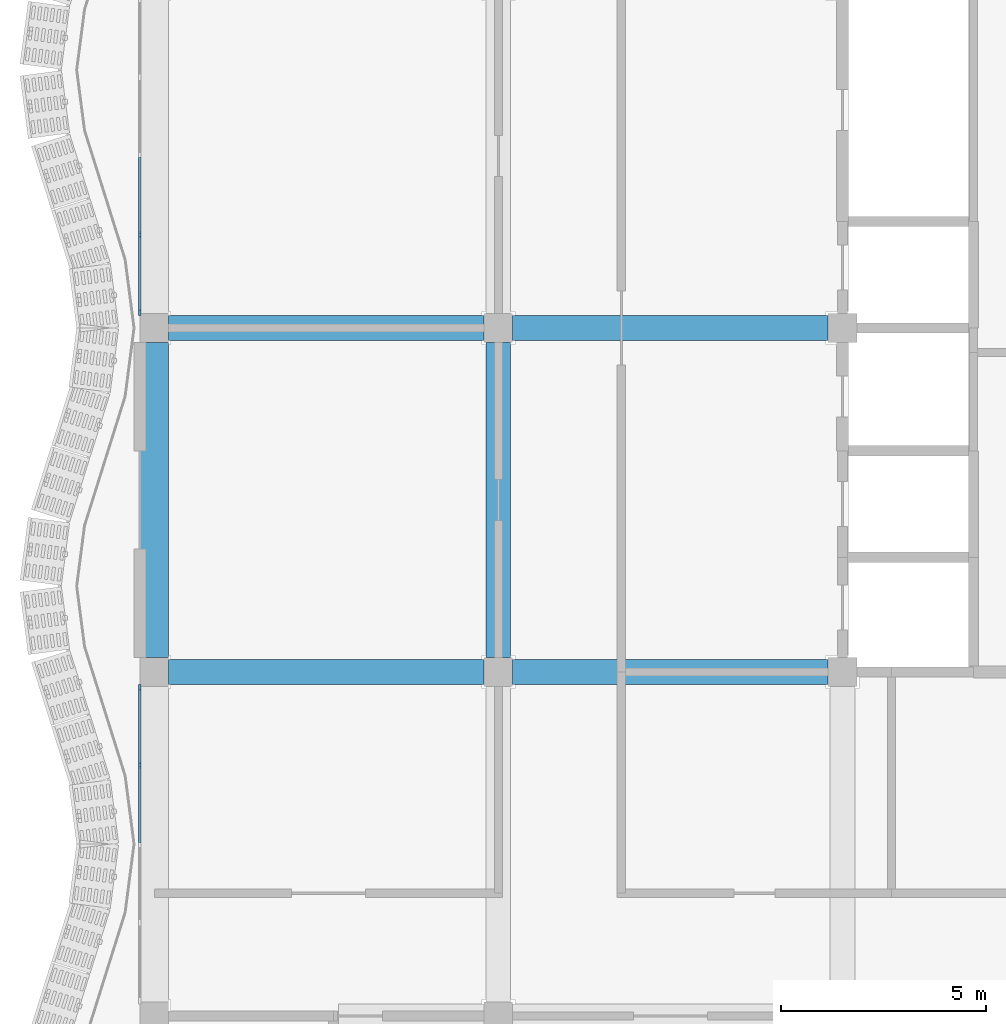
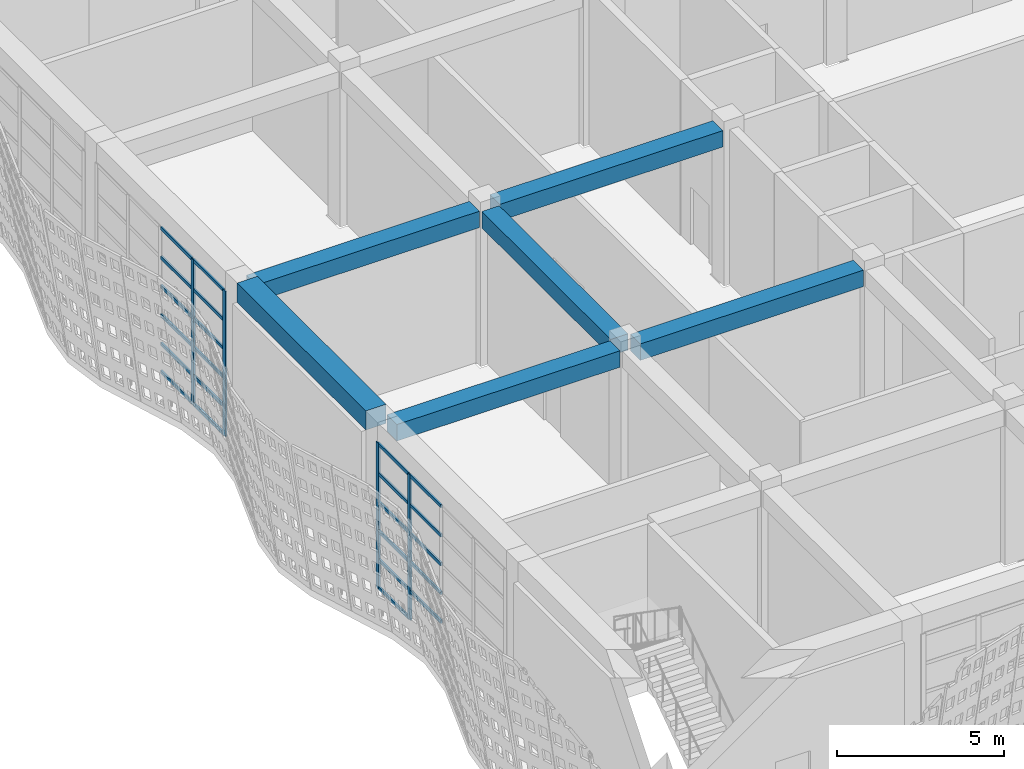
# One storey, part 22 of 210: 27 members, 6 beams, 2 elements without a shape of their own.
"""IFC4 building model written with IfcOpenShell, lengths in metres."""

from ifc_helpers import new_model, si_unit, direction, frame, origin, origin_2d, place, context, subcontext, project, spatial, rectangle, extrude, material, material_profile, profile_set, type_object, element, aggregate, save


model = new_model("IFC4")

# Units and contexts
model_context = context("Model", 3, precision=1e-05, world=origin(), true_north=direction((0.0, 1.0)))
body_context = subcontext(model_context, "Body", "Model", "MODEL_VIEW")
ifc_project = project(units=[si_unit("LENGTHUNIT", "METRE"), si_unit("AREAUNIT", "SQUARE_METRE"), si_unit("VOLUMEUNIT", "CUBIC_METRE"), si_unit("PLANEANGLEUNIT", "RADIAN"), si_unit("MASSUNIT", "GRAM", prefix="KILO")], contexts=[model_context])

# Site, building, storey
site_placement = place(None, origin())
site = spatial("IfcSite", under=ifc_project, at=site_placement, CompositionType="ELEMENT")
building_placement = place(site_placement, origin())
building = spatial("IfcBuilding", under=site, at=building_placement, Name="Rain Tree Exposition and Congress Centre", CompositionType="ELEMENT")
storey_placement = place(building_placement, origin())
storey = spatial("IfcBuildingStorey", under=building, at=storey_placement, Name="L00", CompositionType="ELEMENT", Elevation=0.0)

# Beams
ifc_material_1 = material(Name="Precast concrete C50/60", Category="concrete")
ifc_material_profile_1 = material_profile(ifc_material_1, rectangle(XDim=0.60009765625, YDim=0.60009765625, at=origin_2d()), Name="RC 600x600")
ifc_profile_set_1 = profile_set([ifc_material_profile_1], Name="Precast concrete C50/60")
beam_type_1 = type_object("IfcBeamType", Name="Precast beam 600x600", PredefinedType="BEAM", material=ifc_profile_set_1)
beam_1_placement = place(storey_placement, frame((8.39990234375, 17.14990234375, 5.35009765625), z_axis=(0.0, 1.0, 0.0), x_axis=(-1.0, 0.0, 0.0)))
element("IfcBeam", 1, at=beam_1_placement, inside=storey, type_object=beam_type_1, Name="wing/beam/L00/L01/018", PredefinedType="BEAM", context=body_context, shape_type="SweptSolid", body=[
    extrude(rectangle(XDim=0.60009765625, YDim=0.60009765625, at=origin_2d()), origin(), (0.0, 0.0, 1.0), 7.7001953125),
])
for number, where, z_axis, x_axis, name in (
    (2, (0.35009765625, 16.800048828125, 5.35009765625), (1.0, 0.0, 0.0), (0.0, 1.0, 0.0), "wing/beam/L00/L01/025"),
    (3, (8.75, 16.800048828125, 5.35009765625), (1.0, 0.0, 0.0), (0.0, 1.0, 0.0), "wing/beam/L00/L01/027"),
    (4, (0.35009765625, 25.199951171875, 5.35009765625), (1.0, 0.0, 0.0), (0.0, 1.0, 0.0), "wing/beam/L00/L01/033"),
    (5, (8.75, 25.199951171875, 5.35009765625), (1.0, 0.0, 0.0), (0.0, 1.0, 0.0), "wing/beam/L00/L01/035"),
):
    element("IfcBeam", number, at=place(storey_placement, frame(where, z_axis=z_axis, x_axis=x_axis)), inside=storey, type_object=beam_type_1, Name=name, PredefinedType="BEAM", context=body_context, shape_type="SweptSolid", body=[
        extrude(rectangle(XDim=0.60009765625, YDim=0.60009765625, at=origin_2d()), origin(), (0.0, 0.0, 1.0), 7.699951171875),
    ])
ifc_material_2 = material(Name="Precast concrete C50/60", Category="concrete")
ifc_material_profile_2 = material_profile(ifc_material_2, rectangle(XDim=0.699951171875, YDim=0.699951171875, at=origin_2d()), Name="RC 700x700")
ifc_profile_set_2 = profile_set([ifc_material_profile_2], Name="Precast concrete C50/60")
beam_type_2 = type_object("IfcBeamType", Name="Precast spandrel beam 700x700", PredefinedType="SPANDREL", material=ifc_profile_set_2)
beam_2_placement = place(storey_placement, frame((0.0, 17.14990234375, 5.64990234375), z_axis=(0.0, 1.0, 0.0), x_axis=(-1.0, 0.0, 0.0)))
element("IfcBeam", 6, at=beam_2_placement, inside=storey, type_object=beam_type_2, Name="wing/beam/L00/L01/006", PredefinedType="SPANDREL", context=body_context, shape_type="SweptSolid", body=[
    extrude(rectangle(XDim=0.699951171875, YDim=0.699951171875, at=origin_2d()), origin(), (0.0, 0.0, 1.0), 7.7001953125),
])

# Curtain wall, members
ifc_material_3 = material(Name="Aluminium curtain wall", Category="aluminium")
curtain_wall_type = type_object("IfcCurtainWallType", Name="Wing curtain wall 1925", PredefinedType="NOTDEFINED", material=ifc_material_3)
curtain_wall_1_placement = place(storey_placement, origin())
curtain_wall_1 = element("IfcCurtainWall", 7, at=curtain_wall_1_placement, inside=storey, type_object=curtain_wall_type, Name="Curtain wall CWW106", PredefinedType="NOTDEFINED")
ifc_material_4 = material(Name="Aluminium", Category="aluminium")
ifc_material_profile_3 = material_profile(ifc_material_4, rectangle(XDim=0.06005859375, YDim=0.159912109375, at=origin_2d()), Name="Aluminium 60x160")
ifc_profile_set_3 = profile_set([ifc_material_profile_3], Name="Aluminium")
member_type_1 = type_object("IfcMemberType", Name="Wing mullion 60x160", PredefinedType="MULLION", material=ifc_profile_set_3)
member_1_placement = place(storey_placement, frame((-0.35009765625, 14.52490234375, 0.0), z_axis=(0.0, 0.0, 1.0), x_axis=(-1.0, 0.0, 0.0)))
member_1 = element("IfcMember", 8, at=member_1_placement, type_object=member_type_1, Name="CWW106 mullion 4", PredefinedType="MULLION", context=body_context, shape_type="SweptSolid", body=[
    extrude(rectangle(XDim=0.06005859375, YDim=0.159912109375, at=origin_2d()), origin(), (0.0, 0.0, 1.0), 5.300048828125),
])
member_2_placement = place(storey_placement, frame((-0.35009765625, 16.419921875, 0.0), z_axis=(0.0, 0.0, 1.0), x_axis=(-1.0, 0.0, 0.0)))
member_2 = element("IfcMember", 9, at=member_2_placement, type_object=member_type_1, Name="CWW106 mullion 5", PredefinedType="MULLION", context=body_context, shape_type="SweptSolid", body=[
    extrude(rectangle(XDim=0.06005859375, YDim=0.159912109375, at=origin_2d()), origin(), (0.0, 0.0, 1.0), 5.300048828125),
])

curtain_wall_2_placement = place(storey_placement, origin())
curtain_wall_2 = element("IfcCurtainWall", 10, at=curtain_wall_2_placement, inside=storey, type_object=curtain_wall_type, Name="Curtain wall CWW107", PredefinedType="NOTDEFINED")
member_3_placement = place(storey_placement, frame((-0.35009765625, 25.580078125, 0.0), z_axis=(0.0, 0.0, 1.0), x_axis=(-1.0, 0.0, 0.0)))
member_3 = element("IfcMember", 11, at=member_3_placement, type_object=member_type_1, Name="CWW107 mullion 1", PredefinedType="MULLION", context=body_context, shape_type="SweptSolid", body=[
    extrude(rectangle(XDim=0.06005859375, YDim=0.159912109375, at=origin_2d()), origin(), (0.0, 0.0, 1.0), 5.300048828125),
])
member_4_placement = place(storey_placement, frame((-0.35009765625, 27.47509765625, 0.0), z_axis=(0.0, 0.0, 1.0), x_axis=(-1.0, 0.0, 0.0)))
member_4 = element("IfcMember", 12, at=member_4_placement, type_object=member_type_1, Name="CWW107 mullion 2", PredefinedType="MULLION", context=body_context, shape_type="SweptSolid", body=[
    extrude(rectangle(XDim=0.06005859375, YDim=0.159912109375, at=origin_2d()), origin(), (0.0, 0.0, 1.0), 5.300048828125),
])

# Member
ifc_material_5 = material(Name="Aluminium", Category="aluminium")
ifc_material_profile_4 = material_profile(ifc_material_5, rectangle(XDim=0.06005859375, YDim=0.1201171875, at=origin_2d()), Name="Aluminium 60x120")
ifc_profile_set_4 = profile_set([ifc_material_profile_4], Name="Aluminium")
member_type_2 = type_object("IfcMemberType", Name="Wing transom 60x120", PredefinedType="USERDEFINED", material=ifc_profile_set_4)
member_5_placement = place(storey_placement, frame((-0.35009765625, 12.6298828125, 1.050048828125), z_axis=(0.0, 1.0, 0.0), x_axis=(-1.0, 0.0, 0.0)))
member_5 = element("IfcMember", 13, at=member_5_placement, type_object=member_type_2, Name="CWW106 transom 3.2", ObjectType="TRANSOM", PredefinedType="USERDEFINED", context=body_context, shape_type="SweptSolid", body=[
    extrude(rectangle(XDim=0.06005859375, YDim=0.1201171875, at=origin_2d()), origin(), (0.0, 0.0, 1.0), 1.865234375),
])

member_6_placement = place(storey_placement, frame((-0.35009765625, 12.6298828125, 2.10009765625), z_axis=(0.0, 1.0, 0.0), x_axis=(-1.0, 0.0, 0.0)))
member_6 = element("IfcMember", 14, at=member_6_placement, type_object=member_type_2, Name="CWW106 transom 3.3", ObjectType="TRANSOM", PredefinedType="USERDEFINED", context=body_context, shape_type="SweptSolid", body=[
    extrude(rectangle(XDim=0.06005859375, YDim=0.1201171875, at=origin_2d()), origin(), (0.0, 0.0, 1.0), 1.865234375),
])

member_7_placement = place(storey_placement, frame((-0.35009765625, 12.6298828125, 3.14990234375), z_axis=(0.0, 1.0, 0.0), x_axis=(-1.0, 0.0, 0.0)))
member_7 = element("IfcMember", 15, at=member_7_placement, type_object=member_type_2, Name="CWW106 transom 3.4", ObjectType="TRANSOM", PredefinedType="USERDEFINED", context=body_context, shape_type="SweptSolid", body=[
    extrude(rectangle(XDim=0.06005859375, YDim=0.1201171875, at=origin_2d()), origin(), (0.0, 0.0, 1.0), 1.865234375),
])

member_8_placement = place(storey_placement, frame((-0.35009765625, 12.6298828125, 4.199951171875), z_axis=(0.0, 1.0, 0.0), x_axis=(-1.0, 0.0, 0.0)))
member_8 = element("IfcMember", 16, at=member_8_placement, type_object=member_type_2, Name="CWW106 transom 3.5", ObjectType="TRANSOM", PredefinedType="USERDEFINED", context=body_context, shape_type="SweptSolid", body=[
    extrude(rectangle(XDim=0.06005859375, YDim=0.1201171875, at=origin_2d()), origin(), (0.0, 0.0, 1.0), 1.865234375),
])

member_9_placement = place(storey_placement, frame((-0.35009765625, 12.6298828125, 5.27001953125), z_axis=(0.0, 1.0, 0.0), x_axis=(-1.0, 0.0, 0.0)))
member_9 = element("IfcMember", 17, at=member_9_placement, type_object=member_type_2, Name="CWW106 transom 3.6", ObjectType="TRANSOM", PredefinedType="USERDEFINED", context=body_context, shape_type="SweptSolid", body=[
    extrude(rectangle(XDim=0.06005859375, YDim=0.1201171875, at=origin_2d()), origin(), (0.0, 0.0, 1.0), 1.865234375),
])

member_10_placement = place(storey_placement, frame((-0.35009765625, 14.554931640625, 0.030029296875), z_axis=(0.0, 1.0, 0.0), x_axis=(-1.0, 0.0, 0.0)))
member_10 = element("IfcMember", 18, at=member_10_placement, type_object=member_type_2, Name="CWW106 transom 4.1", ObjectType="TRANSOM", PredefinedType="USERDEFINED", context=body_context, shape_type="SweptSolid", body=[
    extrude(rectangle(XDim=0.06005859375, YDim=0.1201171875, at=origin_2d()), origin(), (0.0, 0.0, 1.0), 1.8349609375),
])

member_11_placement = place(storey_placement, frame((-0.35009765625, 14.554931640625, 1.050048828125), z_axis=(0.0, 1.0, 0.0), x_axis=(-1.0, 0.0, 0.0)))
member_11 = element("IfcMember", 19, at=member_11_placement, type_object=member_type_2, Name="CWW106 transom 4.2", ObjectType="TRANSOM", PredefinedType="USERDEFINED", context=body_context, shape_type="SweptSolid", body=[
    extrude(rectangle(XDim=0.06005859375, YDim=0.1201171875, at=origin_2d()), origin(), (0.0, 0.0, 1.0), 1.8349609375),
])

member_12_placement = place(storey_placement, frame((-0.35009765625, 14.554931640625, 2.10009765625), z_axis=(0.0, 1.0, 0.0), x_axis=(-1.0, 0.0, 0.0)))
member_12 = element("IfcMember", 20, at=member_12_placement, type_object=member_type_2, Name="CWW106 transom 4.3", ObjectType="TRANSOM", PredefinedType="USERDEFINED", context=body_context, shape_type="SweptSolid", body=[
    extrude(rectangle(XDim=0.06005859375, YDim=0.1201171875, at=origin_2d()), origin(), (0.0, 0.0, 1.0), 1.8349609375),
])

member_13_placement = place(storey_placement, frame((-0.35009765625, 14.554931640625, 3.14990234375), z_axis=(0.0, 1.0, 0.0), x_axis=(-1.0, 0.0, 0.0)))
member_13 = element("IfcMember", 21, at=member_13_placement, type_object=member_type_2, Name="CWW106 transom 4.4", ObjectType="TRANSOM", PredefinedType="USERDEFINED", context=body_context, shape_type="SweptSolid", body=[
    extrude(rectangle(XDim=0.06005859375, YDim=0.1201171875, at=origin_2d()), origin(), (0.0, 0.0, 1.0), 1.8349609375),
])

member_14_placement = place(storey_placement, frame((-0.35009765625, 14.554931640625, 4.199951171875), z_axis=(0.0, 1.0, 0.0), x_axis=(-1.0, 0.0, 0.0)))
member_14 = element("IfcMember", 22, at=member_14_placement, type_object=member_type_2, Name="CWW106 transom 4.5", ObjectType="TRANSOM", PredefinedType="USERDEFINED", context=body_context, shape_type="SweptSolid", body=[
    extrude(rectangle(XDim=0.06005859375, YDim=0.1201171875, at=origin_2d()), origin(), (0.0, 0.0, 1.0), 1.8349609375),
])

member_15_placement = place(storey_placement, frame((-0.35009765625, 14.554931640625, 5.27001953125), z_axis=(0.0, 1.0, 0.0), x_axis=(-1.0, 0.0, 0.0)))
member_15 = element("IfcMember", 23, at=member_15_placement, type_object=member_type_2, Name="CWW106 transom 4.6", ObjectType="TRANSOM", PredefinedType="USERDEFINED", context=body_context, shape_type="SweptSolid", body=[
    extrude(rectangle(XDim=0.06005859375, YDim=0.1201171875, at=origin_2d()), origin(), (0.0, 0.0, 1.0), 1.8349609375),
])

aggregate(curtain_wall_1, [member_1, member_2, member_5, member_6, member_7, member_8, member_9, member_10, member_11, member_12, member_13, member_14, member_15])

member_16_placement = place(storey_placement, frame((-0.35009765625, 25.610107421875, 0.030029296875), z_axis=(0.0, 1.0, 0.0), x_axis=(-1.0, 0.0, 0.0)))
member_16 = element("IfcMember", 24, at=member_16_placement, type_object=member_type_2, Name="CWW107 transom 1.1", ObjectType="TRANSOM", PredefinedType="USERDEFINED", context=body_context, shape_type="SweptSolid", body=[
    extrude(rectangle(XDim=0.06005859375, YDim=0.1201171875, at=origin_2d()), origin(), (0.0, 0.0, 1.0), 1.8349609375),
])

member_17_placement = place(storey_placement, frame((-0.35009765625, 25.610107421875, 1.050048828125), z_axis=(0.0, 1.0, 0.0), x_axis=(-1.0, 0.0, 0.0)))
member_17 = element("IfcMember", 25, at=member_17_placement, type_object=member_type_2, Name="CWW107 transom 1.2", ObjectType="TRANSOM", PredefinedType="USERDEFINED", context=body_context, shape_type="SweptSolid", body=[
    extrude(rectangle(XDim=0.06005859375, YDim=0.1201171875, at=origin_2d()), origin(), (0.0, 0.0, 1.0), 1.8349609375),
])

member_18_placement = place(storey_placement, frame((-0.35009765625, 25.610107421875, 2.10009765625), z_axis=(0.0, 1.0, 0.0), x_axis=(-1.0, 0.0, 0.0)))
member_18 = element("IfcMember", 26, at=member_18_placement, type_object=member_type_2, Name="CWW107 transom 1.3", ObjectType="TRANSOM", PredefinedType="USERDEFINED", context=body_context, shape_type="SweptSolid", body=[
    extrude(rectangle(XDim=0.06005859375, YDim=0.1201171875, at=origin_2d()), origin(), (0.0, 0.0, 1.0), 1.8349609375),
])

member_19_placement = place(storey_placement, frame((-0.35009765625, 25.610107421875, 3.14990234375), z_axis=(0.0, 1.0, 0.0), x_axis=(-1.0, 0.0, 0.0)))
member_19 = element("IfcMember", 27, at=member_19_placement, type_object=member_type_2, Name="CWW107 transom 1.4", ObjectType="TRANSOM", PredefinedType="USERDEFINED", context=body_context, shape_type="SweptSolid", body=[
    extrude(rectangle(XDim=0.06005859375, YDim=0.1201171875, at=origin_2d()), origin(), (0.0, 0.0, 1.0), 1.8349609375),
])

member_20_placement = place(storey_placement, frame((-0.35009765625, 25.610107421875, 4.199951171875), z_axis=(0.0, 1.0, 0.0), x_axis=(-1.0, 0.0, 0.0)))
member_20 = element("IfcMember", 28, at=member_20_placement, type_object=member_type_2, Name="CWW107 transom 1.5", ObjectType="TRANSOM", PredefinedType="USERDEFINED", context=body_context, shape_type="SweptSolid", body=[
    extrude(rectangle(XDim=0.06005859375, YDim=0.1201171875, at=origin_2d()), origin(), (0.0, 0.0, 1.0), 1.8349609375),
])

member_21_placement = place(storey_placement, frame((-0.35009765625, 25.610107421875, 5.27001953125), z_axis=(0.0, 1.0, 0.0), x_axis=(-1.0, 0.0, 0.0)))
member_21 = element("IfcMember", 29, at=member_21_placement, type_object=member_type_2, Name="CWW107 transom 1.6", ObjectType="TRANSOM", PredefinedType="USERDEFINED", context=body_context, shape_type="SweptSolid", body=[
    extrude(rectangle(XDim=0.06005859375, YDim=0.1201171875, at=origin_2d()), origin(), (0.0, 0.0, 1.0), 1.8349609375),
])

member_22_placement = place(storey_placement, frame((-0.35009765625, 27.5048828125, 0.030029296875), z_axis=(0.0, 1.0, 0.0), x_axis=(-1.0, 0.0, 0.0)))
member_22 = element("IfcMember", 30, at=member_22_placement, type_object=member_type_2, Name="CWW107 transom 2.1", ObjectType="TRANSOM", PredefinedType="USERDEFINED", context=body_context, shape_type="SweptSolid", body=[
    extrude(rectangle(XDim=0.06005859375, YDim=0.1201171875, at=origin_2d()), origin(), (0.0, 0.0, 1.0), 1.865234375),
])

member_23_placement = place(storey_placement, frame((-0.35009765625, 27.5048828125, 1.050048828125), z_axis=(0.0, 1.0, 0.0), x_axis=(-1.0, 0.0, 0.0)))
member_23 = element("IfcMember", 31, at=member_23_placement, type_object=member_type_2, Name="CWW107 transom 2.2", ObjectType="TRANSOM", PredefinedType="USERDEFINED", context=body_context, shape_type="SweptSolid", body=[
    extrude(rectangle(XDim=0.06005859375, YDim=0.1201171875, at=origin_2d()), origin(), (0.0, 0.0, 1.0), 1.865234375),
])

member_24_placement = place(storey_placement, frame((-0.35009765625, 27.5048828125, 2.10009765625), z_axis=(0.0, 1.0, 0.0), x_axis=(-1.0, 0.0, 0.0)))
member_24 = element("IfcMember", 32, at=member_24_placement, type_object=member_type_2, Name="CWW107 transom 2.3", ObjectType="TRANSOM", PredefinedType="USERDEFINED", context=body_context, shape_type="SweptSolid", body=[
    extrude(rectangle(XDim=0.06005859375, YDim=0.1201171875, at=origin_2d()), origin(), (0.0, 0.0, 1.0), 1.865234375),
])

member_25_placement = place(storey_placement, frame((-0.35009765625, 27.5048828125, 3.14990234375), z_axis=(0.0, 1.0, 0.0), x_axis=(-1.0, 0.0, 0.0)))
member_25 = element("IfcMember", 33, at=member_25_placement, type_object=member_type_2, Name="CWW107 transom 2.4", ObjectType="TRANSOM", PredefinedType="USERDEFINED", context=body_context, shape_type="SweptSolid", body=[
    extrude(rectangle(XDim=0.06005859375, YDim=0.1201171875, at=origin_2d()), origin(), (0.0, 0.0, 1.0), 1.865234375),
])

member_26_placement = place(storey_placement, frame((-0.35009765625, 27.5048828125, 4.199951171875), z_axis=(0.0, 1.0, 0.0), x_axis=(-1.0, 0.0, 0.0)))
member_26 = element("IfcMember", 34, at=member_26_placement, type_object=member_type_2, Name="CWW107 transom 2.5", ObjectType="TRANSOM", PredefinedType="USERDEFINED", context=body_context, shape_type="SweptSolid", body=[
    extrude(rectangle(XDim=0.06005859375, YDim=0.1201171875, at=origin_2d()), origin(), (0.0, 0.0, 1.0), 1.865234375),
])

member_27_placement = place(storey_placement, frame((-0.35009765625, 27.5048828125, 5.27001953125), z_axis=(0.0, 1.0, 0.0), x_axis=(-1.0, 0.0, 0.0)))
member_27 = element("IfcMember", 35, at=member_27_placement, type_object=member_type_2, Name="CWW107 transom 2.6", ObjectType="TRANSOM", PredefinedType="USERDEFINED", context=body_context, shape_type="SweptSolid", body=[
    extrude(rectangle(XDim=0.06005859375, YDim=0.1201171875, at=origin_2d()), origin(), (0.0, 0.0, 1.0), 1.865234375),
])

aggregate(curtain_wall_2, [member_3, member_4, member_16, member_17, member_18, member_19, member_20, member_21, member_22, member_23, member_24, member_25, member_26, member_27])

save(model, "model.ifc")
